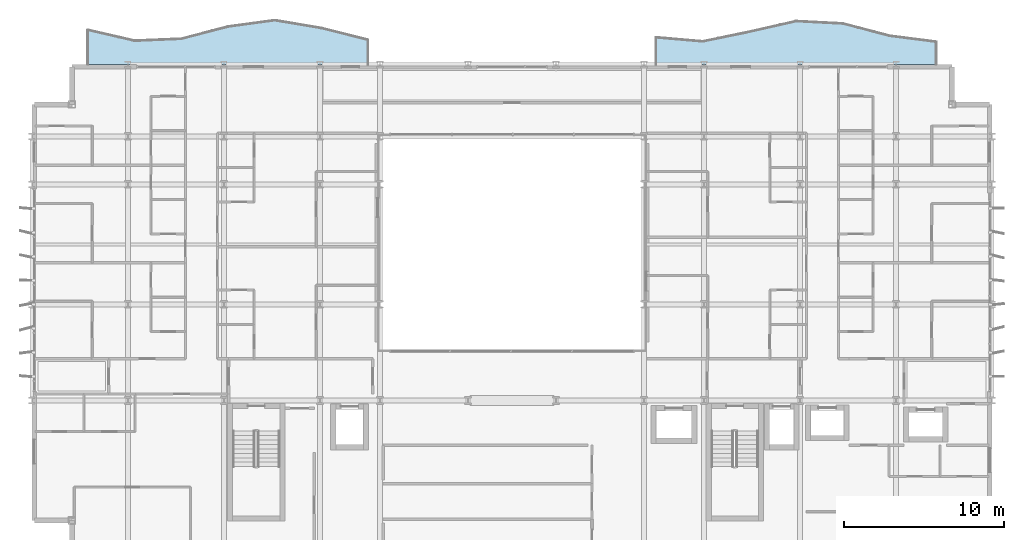
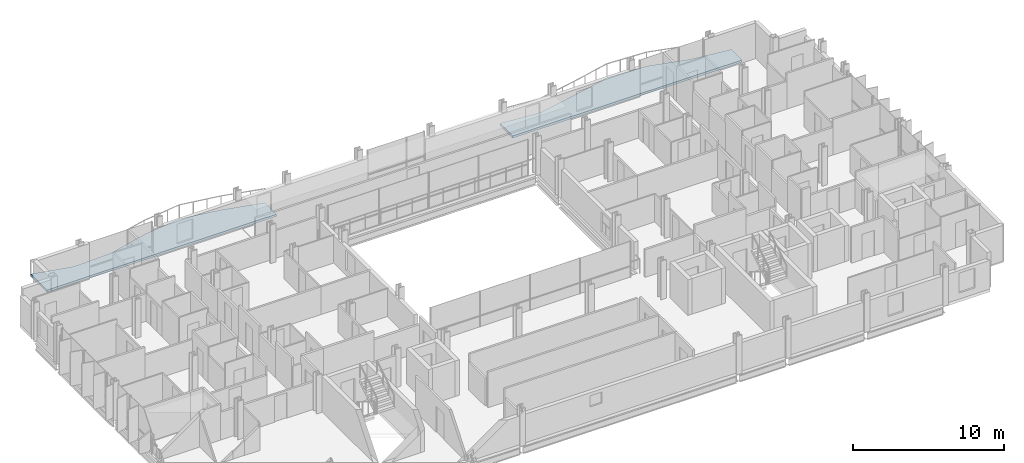
# One storey, part 25 of 39: 2 slabs.
"""IFC4 building model written with IfcOpenShell, lengths in metres."""

import ifcopenshell
import ifcopenshell.guid

model = None  # the IFC model being written
_history = None  # IfcOwnerHistory: only IFC2X3 demands one
_inside = {}  # id of a spatial element -> (the spatial element, [elements in it])
_under = {}  # id of a project, library or spatial element -> (it, [spatial elements below it])
_declared = {}  # id of a project -> (the project, [libraries it declares])
_typed = {}  # id of a type object -> (the type object, [elements of that type])
_made_of = {}  # id of a material, layer set ... -> (it, [elements and type objects made of it])


def new_model(schema):
    """Start an empty IFC model of exactly this schema.

    Asked for "IFC4X3", IfcOpenShell would pick the latest addendum, in which some entities
    have other attributes; the version numbers below select the first issue.
    IFC2X3 requires an IfcOwnerHistory on every rooted entity: one is made here for all.
    """
    global model, _history
    if schema == "IFC4X3":
        model = ifcopenshell.file(schema_version=(4, 3, 0, 0))
    else:
        model = ifcopenshell.file(schema=schema)
    _inside.clear()
    _under.clear()
    _declared.clear()
    _typed.clear()
    _made_of.clear()
    _history = None
    if model.schema == "IFC2X3":
        org = make("IfcOrganization", Name="unknown")
        user = make(
            "IfcPersonAndOrganization",
            ThePerson=make("IfcPerson", FamilyName="unknown"),
            TheOrganization=org,
        )
        app = make(
            "IfcApplication",
            ApplicationDeveloper=org,
            Version="unknown",
            ApplicationFullName="unknown",
            ApplicationIdentifier="unknown",
        )
        _history = make(
            "IfcOwnerHistory",
            OwningUser=user,
            OwningApplication=app,
            ChangeAction="ADDED",
            CreationDate=0,
        )
    return model


def make(cls, **values):
    """One entity of the class cls with the attributes given. An attribute that is None is left unset."""
    return model.create_entity(
        cls, **{name: value for name, value in values.items() if value is not None}
    )


def rooted(cls, **values):
    """An entity with a GlobalId (a new one), such as an element, a storey or a relation."""
    return make(cls, GlobalId=ifcopenshell.guid.new(), OwnerHistory=_history, **values)


def si_unit(unit_type, name, prefix=None):
    """IfcSIUnit, for example si_unit("LENGTHUNIT", "METRE", prefix="MILLI")."""
    return make("IfcSIUnit", UnitType=unit_type, Prefix=prefix, Name=name)


def assignment(units):
    """IfcUnitAssignment: the units of a project."""
    return None if units is None else make("IfcUnitAssignment", Units=units)


def point(xyz):
    """IfcCartesianPoint."""
    return None if xyz is None else make("IfcCartesianPoint", Coordinates=xyz)


def direction(xyz):
    """IfcDirection."""
    return None if xyz is None else make("IfcDirection", DirectionRatios=xyz)


def frame(location, z_axis=None, x_axis=None):
    """IfcAxis2Placement3D, a coordinate frame: its origin and axes. An axis left out is left unset."""
    return make(
        "IfcAxis2Placement3D",
        Location=point(location),
        Axis=direction(z_axis),
        RefDirection=direction(x_axis),
    )


def origin():
    """The frame at (0, 0, 0) with its axes left unset."""
    return frame((0.0, 0.0, 0.0))


def place(relative_to, where):
    """IfcLocalPlacement: puts the frame where relative to a parent placement (None: the world)."""
    return make(
        "IfcLocalPlacement", PlacementRelTo=relative_to, RelativePlacement=where
    )


def context(
    kind, dimensions, precision=None, world=None, true_north=None, identifier=None
):
    """IfcGeometricRepresentationContext, for example the 3D "Model" context."""
    return make(
        "IfcGeometricRepresentationContext",
        ContextIdentifier=identifier,
        ContextType=kind,
        CoordinateSpaceDimension=dimensions,
        Precision=precision,
        WorldCoordinateSystem=world,
        TrueNorth=true_north,
    )


def subcontext(parent, identifier, kind, view, scale=None):
    """IfcGeometricRepresentationSubContext, for example "Body" below "Model"."""
    return make(
        "IfcGeometricRepresentationSubContext",
        ContextIdentifier=identifier,
        ContextType=kind,
        ParentContext=parent,
        TargetScale=scale,
        TargetView=view,
    )


def project(units=None, contexts=None):
    """IfcProject with its units and contexts."""
    return rooted(
        "IfcProject",
        Name="project",
        RepresentationContexts=contexts,
        UnitsInContext=assignment(units),
    )


def spatial(cls, under=None, at=None, **own):
    """A site, building, storey or space (cls), placed at a placement, below another one or the project."""
    s = rooted(cls, ObjectPlacement=at, **own)
    if under is not None:
        _under.setdefault(under.id(), (under, []))[1].append(s)
    return s


def polyline(points):
    """IfcPolyline through the points."""
    return make("IfcPolyline", Points=[point(p) for p in points])


def outline(outer, holes=None, kind="AREA"):
    """IfcArbitraryClosedProfileDef: a profile drawn as a closed curve; with holes, ...WithVoids."""
    if holes is None:
        return make("IfcArbitraryClosedProfileDef", ProfileType=kind, OuterCurve=outer)
    return make(
        "IfcArbitraryProfileDefWithVoids",
        ProfileType=kind,
        OuterCurve=outer,
        InnerCurves=holes,
    )


def extrude(swept, where, along, depth):
    """IfcExtrudedAreaSolid: the profile swept, set in the frame where, extruded along a direction by depth."""
    return make(
        "IfcExtrudedAreaSolid",
        SweptArea=swept,
        Position=where,
        ExtrudedDirection=direction(along),
        Depth=depth,
    )


def shape(context_of_items, identifier, shape_type, items):
    """IfcShapeRepresentation: the items that make up one representation, for example the "Body"."""
    return make(
        "IfcShapeRepresentation",
        ContextOfItems=context_of_items,
        RepresentationIdentifier=identifier,
        RepresentationType=shape_type,
        Items=items,
    )


def material(Name=None, Category=None):
    """IfcMaterial."""
    return make("IfcMaterial", Name=Name, Category=Category)


def layer(
    of_material, thickness, ventilated=None, Name=None, Category=None, Priority=None
):
    """IfcMaterialLayer: one layer of a wall or slab, of a material (None: an air gap)."""
    return make(
        "IfcMaterialLayer",
        Material=of_material,
        LayerThickness=thickness,
        IsVentilated=ventilated,
        Name=Name,
        Category=Category,
        Priority=Priority,
    )


def layer_set(layers, Name=None):
    """IfcMaterialLayerSet."""
    return make("IfcMaterialLayerSet", MaterialLayers=layers, LayerSetName=Name)


def made_of(thing, what):
    """Note that an element or type object is made of a material, layer set ...; save() writes the relation."""
    if what is not None:
        _made_of.setdefault(what.id(), (what, []))[1].append(thing)
    return thing


def type_object(cls, material=None, **own):
    """A type object (cls), such as IfcWallType, which elements share."""
    return made_of(rooted(cls, **own), material)


def element(
    cls,
    number,
    at=None,
    inside=None,
    cuts=None,
    type_object=None,
    material=None,
    context=None,
    identifier="Body",
    shape_type=None,
    held_by="IfcProductDefinitionShape",
    body=None,
    shapes=None,
    **own,
):
    """One element of the class cls, such as IfcWall. Its Tag is "e" and its number.

    at: its placement. inside: the storey or other place that contains it. cuts: it is an
    opening in that element (IfcRelVoidsElement). A single representation is given by context,
    identifier, shape_type and body (its items); several are given by shapes. held_by: the class
    of the entity that holds the representations. save() writes the other relations.
    """
    e = rooted(cls, Tag="e%d" % number, ObjectPlacement=at, **own)
    if body is not None:
        shapes = [shape(context, identifier, shape_type, body)]
    if shapes is not None:
        e.Representation = make(held_by, Representations=shapes)
    if inside is not None:
        _inside.setdefault(inside.id(), (inside, []))[1].append(e)
    if cuts is not None:
        rooted(
            "IfcRelVoidsElement", RelatingBuildingElement=cuts, RelatedOpeningElement=e
        )
    if type_object is not None:
        _typed.setdefault(type_object.id(), (type_object, []))[1].append(e)
    return made_of(e, material)


def aggregate(whole, parts):
    """IfcRelAggregates: a whole, such as a stair, and the parts it consists of."""
    return rooted("IfcRelAggregates", RelatingObject=whole, RelatedObjects=parts)


def save(model, path):
    """Write the relations noted so far, then the file.

    IfcRelAggregates (storeys below a building ...), IfcRelContainedInSpatialStructure (elements
    in a storey), IfcRelDefinesByType, IfcRelAssociatesMaterial and IfcRelDeclares: one each for
    every whole, place, type object, material and project.
    """
    for whole, parts in _under.values():
        aggregate(whole, parts)
    for where, things in _inside.values():
        rooted(
            "IfcRelContainedInSpatialStructure",
            RelatedElements=things,
            RelatingStructure=where,
        )
    for kind, things in _typed.values():
        rooted("IfcRelDefinesByType", RelatedObjects=things, RelatingType=kind)
    for what, things in _made_of.values():
        rooted("IfcRelAssociatesMaterial", RelatedObjects=things, RelatingMaterial=what)
    for by, libraries in _declared.values():
        rooted("IfcRelDeclares", RelatingContext=by, RelatedDefinitions=libraries)
    model.write(path)


model = new_model("IFC4")

# Units and contexts
model_context = context("Model", 3, precision=1e-05, world=origin(), true_north=direction((0.0, 1.0)))
body_context = subcontext(model_context, "Body", "Model", "MODEL_VIEW")
ifc_project = project(units=[si_unit("LENGTHUNIT", "METRE"), si_unit("AREAUNIT", "SQUARE_METRE"), si_unit("VOLUMEUNIT", "CUBIC_METRE"), si_unit("PLANEANGLEUNIT", "RADIAN"), si_unit("MASSUNIT", "GRAM", prefix="KILO")], contexts=[model_context])

# Site, building, storey
site_placement = place(None, origin())
site = spatial("IfcSite", under=ifc_project, at=site_placement, CompositionType="ELEMENT")
building_placement = place(site_placement, origin())
building = spatial("IfcBuilding", under=site, at=building_placement, Name="Brevholm Reach", CompositionType="ELEMENT")
storey_placement = place(building_placement, frame((0.0, 0.0, 34.199951171875)))
storey = spatial("IfcBuildingStorey", under=building, at=storey_placement, Name="L08", CompositionType="ELEMENT", Elevation=34.199951171875)

# Slabs
ifc_material = material(Name="Precast Concrete C40/50", Category="concrete")
ifc_layer = layer(ifc_material, 0.179931640625)
ifc_layer_set = layer_set([ifc_layer], Name="Precast Concrete C40/50")
slab_type = type_object("IfcSlabType", Name="SLB-BAL-180", PredefinedType="FLOOR", material=ifc_layer_set)
slab_1_placement = place(storey_placement, frame((0.0, 0.0, -0.179931640625)))
element("IfcSlab", 1, at=slab_1_placement, inside=storey, type_object=slab_type, Name="L08 Rippling External Balcony NE", PredefinedType="FLOOR", context=body_context, shape_type="SweptSolid", body=[
    extrude(outline(polyline([(39.0, 31.0), (56.5, 31.0), (56.5, 32.40380859375), (53.583251953125, 32.779052734375), (50.666748046875, 33.5439453125), (47.75, 33.691650390625), (44.833251953125, 33.02783203125), (41.916748046875, 32.426025390625), (39.0, 32.67822265625), (39.0, 31.0)])), origin(), (0.0, 0.0, 1.0), 0.179931640625),
])
slab_2_placement = place(storey_placement, frame((0.0, 0.0, -0.179931640625)))
element("IfcSlab", 2, at=slab_2_placement, inside=storey, type_object=slab_type, Name="L08 Rippling External Balcony NW", PredefinedType="FLOOR", context=body_context, shape_type="SweptSolid", body=[
    extrude(outline(polyline([(3.5, 31.0), (21.0, 31.0), (21.0, 32.52880859375), (18.083251953125, 33.260986328125), (15.166748046875, 33.748291015625), (12.25, 33.349609375), (9.333251953125, 32.58935546875), (6.416748046875, 32.46826171875), (3.5, 33.1455078125), (3.5, 31.0)])), origin(), (0.0, 0.0, 1.0), 0.179931640625),
])

save(model, "model.ifc")
